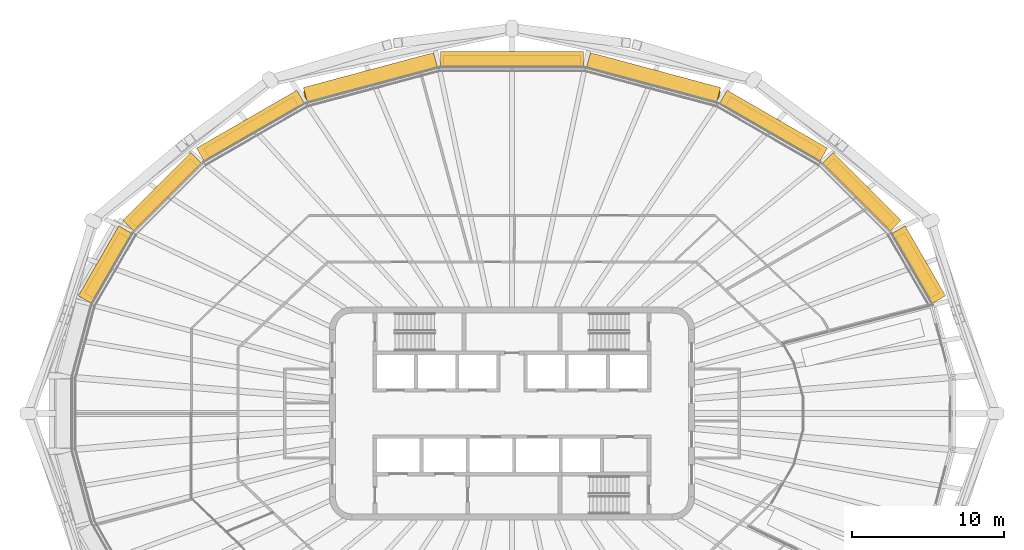
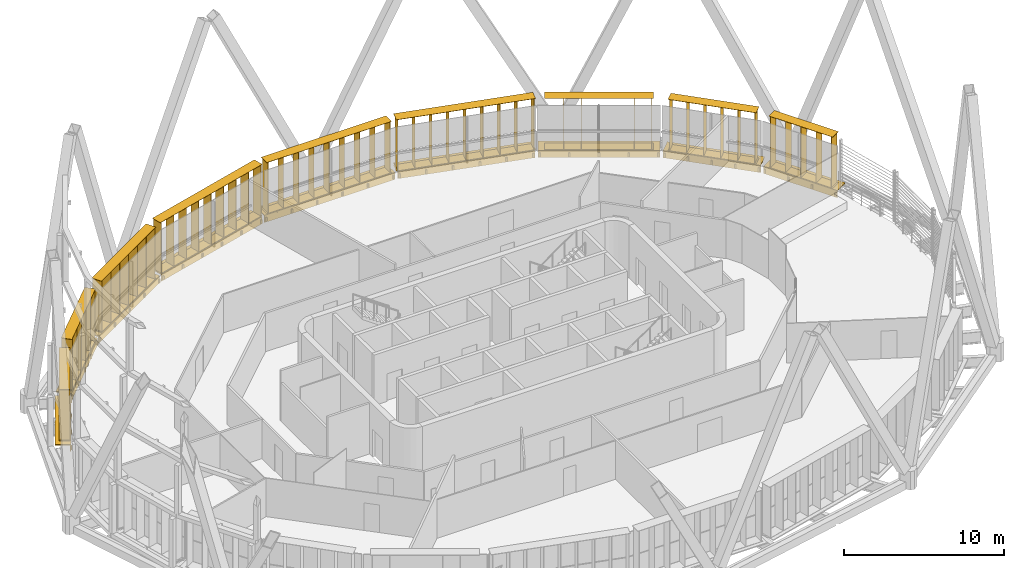
# One storey, part 22 of 22: 18 shading devices.
"""IFC4 building model written with IfcOpenShell, lengths in metres."""

from ifc_helpers import new_model, si_unit, direction, frame, origin, origin_2d, place, context, subcontext, project, spatial, rectangle, extrude, material, type_object, element, save


model = new_model("IFC4")

# Units and contexts
model_context = context("Model", 3, precision=1e-05, world=origin(), true_north=direction((0.0, 1.0)))
body_context = subcontext(model_context, "Body", "Model", "MODEL_VIEW")
ifc_project = project(units=[si_unit("LENGTHUNIT", "METRE"), si_unit("AREAUNIT", "SQUARE_METRE"), si_unit("VOLUMEUNIT", "CUBIC_METRE"), si_unit("PLANEANGLEUNIT", "RADIAN"), si_unit("MASSUNIT", "GRAM", prefix="KILO")], contexts=[model_context])

# Site, building, storey
site_placement = place(None, origin())
site = spatial("IfcSite", under=ifc_project, at=site_placement, CompositionType="ELEMENT")
building_placement = place(site_placement, origin())
building = spatial("IfcBuilding", under=site, at=building_placement, Name="Sahrelin Media Tower", CompositionType="ELEMENT")
storey_placement = place(building_placement, frame((0.0, 0.0, 283.0)))
storey = spatial("IfcBuildingStorey", under=building, at=storey_placement, Name="L62", CompositionType="ELEMENT", Elevation=283.0)

# Shading devices
ifc_material = material(Name="Champagne anodised aluminium 6063-T6", Category="aluminium")
shading_device_type_1 = type_object("IfcShadingDeviceType", Name="Fin cassette", PredefinedType="USERDEFINED", material=ifc_material)
placement_1 = place(storey_placement, frame((26.26708984375, 9.512451171875, 0.0), z_axis=(0.0, 0.0, 1.0), x_axis=(0.500011000363, -0.866019052629, 0.0)))
element("IfcShadingDevice", 1, at=placement_1, inside=storey, type_object=shading_device_type_1, Name="L62:FIN:L62-02", ObjectType="FIN", PredefinedType="USERDEFINED", context=body_context, shape_type="SweptSolid", body=[
    extrude(rectangle(XDim=4.60009765625, YDim=0.699951171875, at=origin_2d()), frame((0.0, 0.419921875, 0.0)), (0.0, 0.0, 1.0), 0.02001953125),
    extrude(rectangle(XDim=4.60009765625, YDim=0.699951171875, at=origin_2d()), frame((0.0, 0.419921875, 3.89990234375)), (0.0, 0.0, 1.0), 0.02001953125),
    extrude(rectangle(XDim=0.02001953125, YDim=0.699951171875, at=origin_2d()), frame((-2.199951171875, 0.419921875, 0.010009765625), z_axis=(0.0, 0.0, 1.0), x_axis=(1.0, 0.0, 0.0)), (0.0, 0.0, 1.0), 3.89990234375),
    extrude(rectangle(XDim=0.02001953125, YDim=0.699951171875, at=origin_2d()), frame((-1.10009765625, 0.419921875, 0.010009765625), z_axis=(0.0, 0.0, 1.0), x_axis=(1.0, 0.0, 0.0)), (0.0, 0.0, 1.0), 3.89990234375),
    extrude(rectangle(XDim=0.02001953125, YDim=0.699951171875, at=origin_2d()), frame((0.0, 0.419921875, 0.010009765625), z_axis=(0.0, 0.0, 1.0), x_axis=(1.0, 0.0, 0.0)), (0.0, 0.0, 1.0), 3.89990234375),
    extrude(rectangle(XDim=0.02001953125, YDim=0.699951171875, at=origin_2d()), frame((1.10009765625, 0.419921875, 0.010009765625), z_axis=(0.0, 0.0, 1.0), x_axis=(1.0, 0.0, 0.0)), (0.0, 0.0, 1.0), 3.89990234375),
    extrude(rectangle(XDim=0.02001953125, YDim=0.699951171875, at=origin_2d()), frame((2.199951171875, 0.419921875, 0.010009765625), z_axis=(0.0, 0.0, 1.0), x_axis=(1.0, 0.0, 0.0)), (0.0, 0.0, 1.0), 3.89990234375),
])
placement_2 = place(storey_placement, frame((22.593017578125, 14.1943359375, 0.0), z_axis=(0.0, 0.0, 1.0), x_axis=(0.707106781187, -0.707106781187, 0.0)))
element("IfcShadingDevice", 2, at=placement_2, inside=storey, type_object=shading_device_type_1, Name="L62:FIN:L62-03", ObjectType="FIN", PredefinedType="USERDEFINED", context=body_context, shape_type="SweptSolid", body=[
    extrude(rectangle(XDim=5.699951171875, YDim=0.699951171875, at=origin_2d()), frame((0.0, 0.419921875, 0.0)), (0.0, 0.0, 1.0), 0.02001953125),
    extrude(rectangle(XDim=5.699951171875, YDim=0.699951171875, at=origin_2d()), frame((0.0, 0.419921875, 3.89990234375)), (0.0, 0.0, 1.0), 0.02001953125),
    extrude(rectangle(XDim=0.02001953125, YDim=0.699951171875, at=origin_2d()), frame((-2.75, 0.419921875, 0.010009765625), z_axis=(0.0, 0.0, 1.0), x_axis=(1.0, 0.0, 0.0)), (0.0, 0.0, 1.0), 3.89990234375),
    extrude(rectangle(XDim=0.02001953125, YDim=0.699951171875, at=origin_2d()), frame((-1.64990234375, 0.419921875, 0.010009765625), z_axis=(0.0, 0.0, 1.0), x_axis=(1.0, 0.0, 0.0)), (0.0, 0.0, 1.0), 3.89990234375),
    extrude(rectangle(XDim=0.02001953125, YDim=0.699951171875, at=origin_2d()), frame((-0.550048828125, 0.419921875, 0.010009765625), z_axis=(0.0, 0.0, 1.0), x_axis=(1.0, 0.0, 0.0)), (0.0, 0.0, 1.0), 3.89990234375),
    extrude(rectangle(XDim=0.02001953125, YDim=0.699951171875, at=origin_2d()), frame((0.550048828125, 0.419921875, 0.010009765625), z_axis=(0.0, 0.0, 1.0), x_axis=(1.0, 0.0, 0.0)), (0.0, 0.0, 1.0), 3.89990234375),
    extrude(rectangle(XDim=0.02001953125, YDim=0.699951171875, at=origin_2d()), frame((1.64990234375, 0.419921875, 0.010009765625), z_axis=(0.0, 0.0, 1.0), x_axis=(1.0, 0.0, 0.0)), (0.0, 0.0, 1.0), 3.89990234375),
    extrude(rectangle(XDim=0.02001953125, YDim=0.699951171875, at=origin_2d()), frame((2.75, 0.419921875, 0.010009765625), z_axis=(0.0, 0.0, 1.0), x_axis=(1.0, 0.0, 0.0)), (0.0, 0.0, 1.0), 3.89990234375),
])
placement_3 = place(storey_placement, frame((16.9150390625, 18.443603515625, 0.0), z_axis=(0.0, 0.0, 1.0), x_axis=(0.866019052629, -0.500011000363, 0.0)))
element("IfcShadingDevice", 3, at=placement_3, inside=storey, type_object=shading_device_type_1, Name="L62:FIN:L62-04", ObjectType="FIN", PredefinedType="USERDEFINED", context=body_context, shape_type="SweptSolid", body=[
    extrude(rectangle(XDim=6.800048828125, YDim=0.699951171875, at=origin_2d()), frame((0.0, 0.419921875, 0.0)), (0.0, 0.0, 1.0), 0.02001953125),
    extrude(rectangle(XDim=6.800048828125, YDim=0.699951171875, at=origin_2d()), frame((0.0, 0.419921875, 3.89990234375)), (0.0, 0.0, 1.0), 0.02001953125),
    extrude(rectangle(XDim=0.02001953125, YDim=0.699951171875, at=origin_2d()), frame((-3.300048828125, 0.419921875, 0.010009765625), z_axis=(0.0, 0.0, 1.0), x_axis=(1.0, 0.0, 0.0)), (0.0, 0.0, 1.0), 3.89990234375),
    extrude(rectangle(XDim=0.02001953125, YDim=0.699951171875, at=origin_2d()), frame((-2.199951171875, 0.419921875, 0.010009765625), z_axis=(0.0, 0.0, 1.0), x_axis=(1.0, 0.0, 0.0)), (0.0, 0.0, 1.0), 3.89990234375),
    extrude(rectangle(XDim=0.02001953125, YDim=0.699951171875, at=origin_2d()), frame((-1.10009765625, 0.419921875, 0.010009765625), z_axis=(0.0, 0.0, 1.0), x_axis=(1.0, 0.0, 0.0)), (0.0, 0.0, 1.0), 3.89990234375),
    extrude(rectangle(XDim=0.02001953125, YDim=0.699951171875, at=origin_2d()), frame((0.0, 0.419921875, 0.010009765625), z_axis=(0.0, 0.0, 1.0), x_axis=(1.0, 0.0, 0.0)), (0.0, 0.0, 1.0), 3.89990234375),
    extrude(rectangle(XDim=0.02001953125, YDim=0.699951171875, at=origin_2d()), frame((1.10009765625, 0.419921875, 0.010009765625), z_axis=(0.0, 0.0, 1.0), x_axis=(1.0, 0.0, 0.0)), (0.0, 0.0, 1.0), 3.89990234375),
    extrude(rectangle(XDim=0.02001953125, YDim=0.699951171875, at=origin_2d()), frame((2.199951171875, 0.419921875, 0.010009765625), z_axis=(0.0, 0.0, 1.0), x_axis=(1.0, 0.0, 0.0)), (0.0, 0.0, 1.0), 3.89990234375),
    extrude(rectangle(XDim=0.02001953125, YDim=0.699951171875, at=origin_2d()), frame((3.300048828125, 0.419921875, 0.010009765625), z_axis=(0.0, 0.0, 1.0), x_axis=(1.0, 0.0, 0.0)), (0.0, 0.0, 1.0), 3.89990234375),
])
placement_4 = place(storey_placement, frame((9.163330078125, 21.56640625, 0.0), z_axis=(0.0, 0.0, 1.0), x_axis=(0.965928857556, -0.258807731996, 0.0)))
element("IfcShadingDevice", 4, at=placement_4, inside=storey, type_object=shading_device_type_1, Name="L62:FIN:L62-05", ObjectType="FIN", PredefinedType="USERDEFINED", context=body_context, shape_type="SweptSolid", body=[
    extrude(rectangle(XDim=9.0, YDim=0.699951171875, at=origin_2d()), frame((0.0, 0.419921875, 0.0)), (0.0, 0.0, 1.0), 0.02001953125),
    extrude(rectangle(XDim=9.0, YDim=0.699951171875, at=origin_2d()), frame((0.0, 0.419921875, 3.89990234375)), (0.0, 0.0, 1.0), 0.02001953125),
    extrude(rectangle(XDim=0.02001953125, YDim=0.699951171875, at=origin_2d()), frame((-4.39990234375, 0.419921875, 0.010009765625), z_axis=(0.0, 0.0, 1.0), x_axis=(1.0, 0.0, 0.0)), (0.0, 0.0, 1.0), 3.89990234375),
    extrude(rectangle(XDim=0.02001953125, YDim=0.699951171875, at=origin_2d()), frame((-3.300048828125, 0.419921875, 0.010009765625), z_axis=(0.0, 0.0, 1.0), x_axis=(1.0, 0.0, 0.0)), (0.0, 0.0, 1.0), 3.89990234375),
    extrude(rectangle(XDim=0.02001953125, YDim=0.699951171875, at=origin_2d()), frame((-2.199951171875, 0.419921875, 0.010009765625), z_axis=(0.0, 0.0, 1.0), x_axis=(1.0, 0.0, 0.0)), (0.0, 0.0, 1.0), 3.89990234375),
    extrude(rectangle(XDim=0.02001953125, YDim=0.699951171875, at=origin_2d()), frame((-1.10009765625, 0.419921875, 0.010009765625), z_axis=(0.0, 0.0, 1.0), x_axis=(1.0, 0.0, 0.0)), (0.0, 0.0, 1.0), 3.89990234375),
    extrude(rectangle(XDim=0.02001953125, YDim=0.699951171875, at=origin_2d()), frame((0.0, 0.419921875, 0.010009765625), z_axis=(0.0, 0.0, 1.0), x_axis=(1.0, 0.0, 0.0)), (0.0, 0.0, 1.0), 3.89990234375),
    extrude(rectangle(XDim=0.02001953125, YDim=0.699951171875, at=origin_2d()), frame((1.10009765625, 0.419921875, 0.010009765625), z_axis=(0.0, 0.0, 1.0), x_axis=(1.0, 0.0, 0.0)), (0.0, 0.0, 1.0), 3.89990234375),
    extrude(rectangle(XDim=0.02001953125, YDim=0.699951171875, at=origin_2d()), frame((2.199951171875, 0.419921875, 0.010009765625), z_axis=(0.0, 0.0, 1.0), x_axis=(1.0, 0.0, 0.0)), (0.0, 0.0, 1.0), 3.89990234375),
    extrude(rectangle(XDim=0.02001953125, YDim=0.699951171875, at=origin_2d()), frame((3.300048828125, 0.419921875, 0.010009765625), z_axis=(0.0, 0.0, 1.0), x_axis=(1.0, 0.0, 0.0)), (0.0, 0.0, 1.0), 3.89990234375),
    extrude(rectangle(XDim=0.02001953125, YDim=0.699951171875, at=origin_2d()), frame((4.39990234375, 0.419921875, 0.010009765625), z_axis=(0.0, 0.0, 1.0), x_axis=(1.0, 0.0, 0.0)), (0.0, 0.0, 1.0), 3.89990234375),
])
placement_5 = place(storey_placement, frame((0.0, 22.73779296875, 0.0), z_axis=(0.0, 0.0, 1.0), x_axis=(1.0, 0.0, 0.0)))
element("IfcShadingDevice", 5, at=placement_5, inside=storey, type_object=shading_device_type_1, Name="L62:FIN:L62-06", ObjectType="FIN", PredefinedType="USERDEFINED", context=body_context, shape_type="SweptSolid", body=[
    extrude(rectangle(XDim=9.0, YDim=0.699951171875, at=origin_2d()), frame((0.0, 0.419921875, 0.0)), (0.0, 0.0, 1.0), 0.02001953125),
    extrude(rectangle(XDim=9.0, YDim=0.699951171875, at=origin_2d()), frame((0.0, 0.419921875, 3.89990234375)), (0.0, 0.0, 1.0), 0.02001953125),
    extrude(rectangle(XDim=0.02001953125, YDim=0.699951171875, at=origin_2d()), frame((-4.39990234375, 0.419921875, 0.010009765625), z_axis=(0.0, 0.0, 1.0), x_axis=(1.0, 0.0, 0.0)), (0.0, 0.0, 1.0), 3.89990234375),
    extrude(rectangle(XDim=0.02001953125, YDim=0.699951171875, at=origin_2d()), frame((-3.300048828125, 0.419921875, 0.010009765625), z_axis=(0.0, 0.0, 1.0), x_axis=(1.0, 0.0, 0.0)), (0.0, 0.0, 1.0), 3.89990234375),
    extrude(rectangle(XDim=0.02001953125, YDim=0.699951171875, at=origin_2d()), frame((-2.199951171875, 0.419921875, 0.010009765625), z_axis=(0.0, 0.0, 1.0), x_axis=(1.0, 0.0, 0.0)), (0.0, 0.0, 1.0), 3.89990234375),
    extrude(rectangle(XDim=0.02001953125, YDim=0.699951171875, at=origin_2d()), frame((-1.10009765625, 0.419921875, 0.010009765625), z_axis=(0.0, 0.0, 1.0), x_axis=(1.0, 0.0, 0.0)), (0.0, 0.0, 1.0), 3.89990234375),
    extrude(rectangle(XDim=0.02001953125, YDim=0.699951171875, at=origin_2d()), frame((0.0, 0.419921875, 0.010009765625), z_axis=(0.0, 0.0, 1.0), x_axis=(1.0, 0.0, 0.0)), (0.0, 0.0, 1.0), 3.89990234375),
    extrude(rectangle(XDim=0.02001953125, YDim=0.699951171875, at=origin_2d()), frame((1.10009765625, 0.419921875, 0.010009765625), z_axis=(0.0, 0.0, 1.0), x_axis=(1.0, 0.0, 0.0)), (0.0, 0.0, 1.0), 3.89990234375),
    extrude(rectangle(XDim=0.02001953125, YDim=0.699951171875, at=origin_2d()), frame((2.199951171875, 0.419921875, 0.010009765625), z_axis=(0.0, 0.0, 1.0), x_axis=(1.0, 0.0, 0.0)), (0.0, 0.0, 1.0), 3.89990234375),
    extrude(rectangle(XDim=0.02001953125, YDim=0.699951171875, at=origin_2d()), frame((3.300048828125, 0.419921875, 0.010009765625), z_axis=(0.0, 0.0, 1.0), x_axis=(1.0, 0.0, 0.0)), (0.0, 0.0, 1.0), 3.89990234375),
    extrude(rectangle(XDim=0.02001953125, YDim=0.699951171875, at=origin_2d()), frame((4.39990234375, 0.419921875, 0.010009765625), z_axis=(0.0, 0.0, 1.0), x_axis=(1.0, 0.0, 0.0)), (0.0, 0.0, 1.0), 3.89990234375),
])
placement_6 = place(storey_placement, frame((-9.163330078125, 21.56640625, 0.0), z_axis=(0.0, 0.0, 1.0), x_axis=(0.965928857556, 0.258807731996, 0.0)))
element("IfcShadingDevice", 6, at=placement_6, inside=storey, type_object=shading_device_type_1, Name="L62:FIN:L62-07", ObjectType="FIN", PredefinedType="USERDEFINED", context=body_context, shape_type="SweptSolid", body=[
    extrude(rectangle(XDim=9.0, YDim=0.699951171875, at=origin_2d()), frame((0.0, 0.419921875, 0.0)), (0.0, 0.0, 1.0), 0.02001953125),
    extrude(rectangle(XDim=9.0, YDim=0.699951171875, at=origin_2d()), frame((0.0, 0.419921875, 3.89990234375)), (0.0, 0.0, 1.0), 0.02001953125),
    extrude(rectangle(XDim=0.02001953125, YDim=0.699951171875, at=origin_2d()), frame((-4.39990234375, 0.419921875, 0.010009765625), z_axis=(0.0, 0.0, 1.0), x_axis=(1.0, 0.0, 0.0)), (0.0, 0.0, 1.0), 3.89990234375),
    extrude(rectangle(XDim=0.02001953125, YDim=0.699951171875, at=origin_2d()), frame((-3.300048828125, 0.419921875, 0.010009765625), z_axis=(0.0, 0.0, 1.0), x_axis=(1.0, 0.0, 0.0)), (0.0, 0.0, 1.0), 3.89990234375),
    extrude(rectangle(XDim=0.02001953125, YDim=0.699951171875, at=origin_2d()), frame((-2.199951171875, 0.419921875, 0.010009765625), z_axis=(0.0, 0.0, 1.0), x_axis=(1.0, 0.0, 0.0)), (0.0, 0.0, 1.0), 3.89990234375),
    extrude(rectangle(XDim=0.02001953125, YDim=0.699951171875, at=origin_2d()), frame((-1.10009765625, 0.419921875, 0.010009765625), z_axis=(0.0, 0.0, 1.0), x_axis=(1.0, 0.0, 0.0)), (0.0, 0.0, 1.0), 3.89990234375),
    extrude(rectangle(XDim=0.02001953125, YDim=0.699951171875, at=origin_2d()), frame((0.0, 0.419921875, 0.010009765625), z_axis=(0.0, 0.0, 1.0), x_axis=(1.0, 0.0, 0.0)), (0.0, 0.0, 1.0), 3.89990234375),
    extrude(rectangle(XDim=0.02001953125, YDim=0.699951171875, at=origin_2d()), frame((1.10009765625, 0.419921875, 0.010009765625), z_axis=(0.0, 0.0, 1.0), x_axis=(1.0, 0.0, 0.0)), (0.0, 0.0, 1.0), 3.89990234375),
    extrude(rectangle(XDim=0.02001953125, YDim=0.699951171875, at=origin_2d()), frame((2.199951171875, 0.419921875, 0.010009765625), z_axis=(0.0, 0.0, 1.0), x_axis=(1.0, 0.0, 0.0)), (0.0, 0.0, 1.0), 3.89990234375),
    extrude(rectangle(XDim=0.02001953125, YDim=0.699951171875, at=origin_2d()), frame((3.300048828125, 0.419921875, 0.010009765625), z_axis=(0.0, 0.0, 1.0), x_axis=(1.0, 0.0, 0.0)), (0.0, 0.0, 1.0), 3.89990234375),
    extrude(rectangle(XDim=0.02001953125, YDim=0.699951171875, at=origin_2d()), frame((4.39990234375, 0.419921875, 0.010009765625), z_axis=(0.0, 0.0, 1.0), x_axis=(1.0, 0.0, 0.0)), (0.0, 0.0, 1.0), 3.89990234375),
])
placement_7 = place(storey_placement, frame((-16.9150390625, 18.443603515625, 0.0), z_axis=(0.0, 0.0, 1.0), x_axis=(0.866019052629, 0.500011000363, 0.0)))
element("IfcShadingDevice", 7, at=placement_7, inside=storey, type_object=shading_device_type_1, Name="L62:FIN:L62-08", ObjectType="FIN", PredefinedType="USERDEFINED", context=body_context, shape_type="SweptSolid", body=[
    extrude(rectangle(XDim=6.800048828125, YDim=0.699951171875, at=origin_2d()), frame((0.0, 0.419921875, 0.0)), (0.0, 0.0, 1.0), 0.02001953125),
    extrude(rectangle(XDim=6.800048828125, YDim=0.699951171875, at=origin_2d()), frame((0.0, 0.419921875, 3.89990234375)), (0.0, 0.0, 1.0), 0.02001953125),
    extrude(rectangle(XDim=0.02001953125, YDim=0.699951171875, at=origin_2d()), frame((-3.300048828125, 0.419921875, 0.010009765625), z_axis=(0.0, 0.0, 1.0), x_axis=(1.0, 0.0, 0.0)), (0.0, 0.0, 1.0), 3.89990234375),
    extrude(rectangle(XDim=0.02001953125, YDim=0.699951171875, at=origin_2d()), frame((-2.199951171875, 0.419921875, 0.010009765625), z_axis=(0.0, 0.0, 1.0), x_axis=(1.0, 0.0, 0.0)), (0.0, 0.0, 1.0), 3.89990234375),
    extrude(rectangle(XDim=0.02001953125, YDim=0.699951171875, at=origin_2d()), frame((-1.10009765625, 0.419921875, 0.010009765625), z_axis=(0.0, 0.0, 1.0), x_axis=(1.0, 0.0, 0.0)), (0.0, 0.0, 1.0), 3.89990234375),
    extrude(rectangle(XDim=0.02001953125, YDim=0.699951171875, at=origin_2d()), frame((0.0, 0.419921875, 0.010009765625), z_axis=(0.0, 0.0, 1.0), x_axis=(1.0, 0.0, 0.0)), (0.0, 0.0, 1.0), 3.89990234375),
    extrude(rectangle(XDim=0.02001953125, YDim=0.699951171875, at=origin_2d()), frame((1.10009765625, 0.419921875, 0.010009765625), z_axis=(0.0, 0.0, 1.0), x_axis=(1.0, 0.0, 0.0)), (0.0, 0.0, 1.0), 3.89990234375),
    extrude(rectangle(XDim=0.02001953125, YDim=0.699951171875, at=origin_2d()), frame((2.199951171875, 0.419921875, 0.010009765625), z_axis=(0.0, 0.0, 1.0), x_axis=(1.0, 0.0, 0.0)), (0.0, 0.0, 1.0), 3.89990234375),
    extrude(rectangle(XDim=0.02001953125, YDim=0.699951171875, at=origin_2d()), frame((3.300048828125, 0.419921875, 0.010009765625), z_axis=(0.0, 0.0, 1.0), x_axis=(1.0, 0.0, 0.0)), (0.0, 0.0, 1.0), 3.89990234375),
])
placement_8 = place(storey_placement, frame((-22.593017578125, 14.1943359375, 0.0), z_axis=(0.0, 0.0, 1.0), x_axis=(0.707106781187, 0.707106781187, 0.0)))
element("IfcShadingDevice", 8, at=placement_8, inside=storey, type_object=shading_device_type_1, Name="L62:FIN:L62-09", ObjectType="FIN", PredefinedType="USERDEFINED", context=body_context, shape_type="SweptSolid", body=[
    extrude(rectangle(XDim=5.699951171875, YDim=0.699951171875, at=origin_2d()), frame((0.0, 0.419921875, 0.0)), (0.0, 0.0, 1.0), 0.02001953125),
    extrude(rectangle(XDim=5.699951171875, YDim=0.699951171875, at=origin_2d()), frame((0.0, 0.419921875, 3.89990234375)), (0.0, 0.0, 1.0), 0.02001953125),
    extrude(rectangle(XDim=0.02001953125, YDim=0.699951171875, at=origin_2d()), frame((-2.75, 0.419921875, 0.010009765625), z_axis=(0.0, 0.0, 1.0), x_axis=(1.0, 0.0, 0.0)), (0.0, 0.0, 1.0), 3.89990234375),
    extrude(rectangle(XDim=0.02001953125, YDim=0.699951171875, at=origin_2d()), frame((-1.64990234375, 0.419921875, 0.010009765625), z_axis=(0.0, 0.0, 1.0), x_axis=(1.0, 0.0, 0.0)), (0.0, 0.0, 1.0), 3.89990234375),
    extrude(rectangle(XDim=0.02001953125, YDim=0.699951171875, at=origin_2d()), frame((-0.550048828125, 0.419921875, 0.010009765625), z_axis=(0.0, 0.0, 1.0), x_axis=(1.0, 0.0, 0.0)), (0.0, 0.0, 1.0), 3.89990234375),
    extrude(rectangle(XDim=0.02001953125, YDim=0.699951171875, at=origin_2d()), frame((0.550048828125, 0.419921875, 0.010009765625), z_axis=(0.0, 0.0, 1.0), x_axis=(1.0, 0.0, 0.0)), (0.0, 0.0, 1.0), 3.89990234375),
    extrude(rectangle(XDim=0.02001953125, YDim=0.699951171875, at=origin_2d()), frame((1.64990234375, 0.419921875, 0.010009765625), z_axis=(0.0, 0.0, 1.0), x_axis=(1.0, 0.0, 0.0)), (0.0, 0.0, 1.0), 3.89990234375),
    extrude(rectangle(XDim=0.02001953125, YDim=0.699951171875, at=origin_2d()), frame((2.75, 0.419921875, 0.010009765625), z_axis=(0.0, 0.0, 1.0), x_axis=(1.0, 0.0, 0.0)), (0.0, 0.0, 1.0), 3.89990234375),
])
placement_9 = place(storey_placement, frame((-26.26708984375, 9.512451171875, 0.0), z_axis=(0.0, 0.0, 1.0), x_axis=(0.500011000363, 0.866019052629, 0.0)))
element("IfcShadingDevice", 9, at=placement_9, inside=storey, type_object=shading_device_type_1, Name="L62:FIN:L62-10", ObjectType="FIN", PredefinedType="USERDEFINED", context=body_context, shape_type="SweptSolid", body=[
    extrude(rectangle(XDim=4.60009765625, YDim=0.699951171875, at=origin_2d()), frame((0.0, 0.419921875, 0.0)), (0.0, 0.0, 1.0), 0.02001953125),
    extrude(rectangle(XDim=4.60009765625, YDim=0.699951171875, at=origin_2d()), frame((0.0, 0.419921875, 3.89990234375)), (0.0, 0.0, 1.0), 0.02001953125),
    extrude(rectangle(XDim=0.02001953125, YDim=0.699951171875, at=origin_2d()), frame((-2.199951171875, 0.419921875, 0.010009765625), z_axis=(0.0, 0.0, 1.0), x_axis=(1.0, 0.0, 0.0)), (0.0, 0.0, 1.0), 3.89990234375),
    extrude(rectangle(XDim=0.02001953125, YDim=0.699951171875, at=origin_2d()), frame((-1.10009765625, 0.419921875, 0.010009765625), z_axis=(0.0, 0.0, 1.0), x_axis=(1.0, 0.0, 0.0)), (0.0, 0.0, 1.0), 3.89990234375),
    extrude(rectangle(XDim=0.02001953125, YDim=0.699951171875, at=origin_2d()), frame((0.0, 0.419921875, 0.010009765625), z_axis=(0.0, 0.0, 1.0), x_axis=(1.0, 0.0, 0.0)), (0.0, 0.0, 1.0), 3.89990234375),
    extrude(rectangle(XDim=0.02001953125, YDim=0.699951171875, at=origin_2d()), frame((1.10009765625, 0.419921875, 0.010009765625), z_axis=(0.0, 0.0, 1.0), x_axis=(1.0, 0.0, 0.0)), (0.0, 0.0, 1.0), 3.89990234375),
    extrude(rectangle(XDim=0.02001953125, YDim=0.699951171875, at=origin_2d()), frame((2.199951171875, 0.419921875, 0.010009765625), z_axis=(0.0, 0.0, 1.0), x_axis=(1.0, 0.0, 0.0)), (0.0, 0.0, 1.0), 3.89990234375),
])
shading_device_type_2 = type_object("IfcShadingDeviceType", Name="Sunshade band", PredefinedType="USERDEFINED", material=ifc_material)
element("IfcShadingDevice", 10, at=placement_1, inside=storey, type_object=shading_device_type_2, Name="L62:SUN:L62-02", ObjectType="SUNSHADE", PredefinedType="USERDEFINED", context=body_context, shape_type="SweptSolid", body=[
    extrude(rectangle(XDim=5.306884765625, YDim=0.050048828125, at=origin_2d()), frame((0.0, 0.044921875, -0.55126953125)), (0.0, 0.0, 1.0), 0.471435546875),
    extrude(rectangle(XDim=5.306884765625, YDim=1.0, at=origin_2d()), frame((0.0, 0.52001953125, -0.080078125)), (0.0, 0.0, 1.0), 0.080078125),
    extrude(rectangle(XDim=0.10009765625, YDim=0.074951171875, at=origin_2d()), frame((-2.553466796875, -0.017578125, -0.47021484375)), (0.0, 0.0, 1.0), 0.300048828125),
    extrude(rectangle(XDim=0.10009765625, YDim=0.074951171875, at=origin_2d()), frame((-0.851318359375, -0.017578125, -0.47021484375)), (0.0, 0.0, 1.0), 0.300048828125),
    extrude(rectangle(XDim=0.10009765625, YDim=0.074951171875, at=origin_2d()), frame((0.851318359375, -0.017578125, -0.47021484375)), (0.0, 0.0, 1.0), 0.300048828125),
    extrude(rectangle(XDim=0.10009765625, YDim=0.074951171875, at=origin_2d()), frame((2.553466796875, -0.017578125, -0.47021484375)), (0.0, 0.0, 1.0), 0.300048828125),
])
element("IfcShadingDevice", 11, at=placement_2, inside=storey, type_object=shading_device_type_2, Name="L62:SUN:L62-03", ObjectType="SUNSHADE", PredefinedType="USERDEFINED", context=body_context, shape_type="SweptSolid", body=[
    extrude(rectangle(XDim=6.298095703125, YDim=0.050048828125, at=origin_2d()), frame((0.0, 0.044921875, -0.55126953125)), (0.0, 0.0, 1.0), 0.471435546875),
    extrude(rectangle(XDim=6.298095703125, YDim=1.0, at=origin_2d()), frame((0.0, 0.52001953125, -0.080078125)), (0.0, 0.0, 1.0), 0.080078125),
    extrude(rectangle(XDim=0.10009765625, YDim=0.074951171875, at=origin_2d()), frame((-3.049072265625, -0.017578125, -0.47021484375)), (0.0, 0.0, 1.0), 0.300048828125),
    extrude(rectangle(XDim=0.10009765625, YDim=0.074951171875, at=origin_2d()), frame((-1.5244140625, -0.017578125, -0.47021484375)), (0.0, 0.0, 1.0), 0.300048828125),
    extrude(rectangle(XDim=0.10009765625, YDim=0.074951171875, at=origin_2d()), frame((0.0, -0.017578125, -0.47021484375)), (0.0, 0.0, 1.0), 0.300048828125),
    extrude(rectangle(XDim=0.10009765625, YDim=0.074951171875, at=origin_2d()), frame((1.5244140625, -0.017578125, -0.47021484375)), (0.0, 0.0, 1.0), 0.300048828125),
    extrude(rectangle(XDim=0.10009765625, YDim=0.074951171875, at=origin_2d()), frame((3.049072265625, -0.017578125, -0.47021484375)), (0.0, 0.0, 1.0), 0.300048828125),
])
element("IfcShadingDevice", 12, at=placement_3, inside=storey, type_object=shading_device_type_2, Name="L62:SUN:L62-04", ObjectType="SUNSHADE", PredefinedType="USERDEFINED", context=body_context, shape_type="SweptSolid", body=[
    extrude(rectangle(XDim=7.60693359375, YDim=0.050048828125, at=origin_2d()), frame((0.0, 0.044921875, -0.55126953125)), (0.0, 0.0, 1.0), 0.471435546875),
    extrude(rectangle(XDim=7.60693359375, YDim=1.0, at=origin_2d()), frame((0.0, 0.52001953125, -0.080078125)), (0.0, 0.0, 1.0), 0.080078125),
    extrude(rectangle(XDim=0.10009765625, YDim=0.074951171875, at=origin_2d()), frame((-3.70361328125, -0.017578125, -0.47021484375)), (0.0, 0.0, 1.0), 0.300048828125),
    extrude(rectangle(XDim=0.10009765625, YDim=0.074951171875, at=origin_2d()), frame((-1.851806640625, -0.017578125, -0.47021484375)), (0.0, 0.0, 1.0), 0.300048828125),
    extrude(rectangle(XDim=0.10009765625, YDim=0.074951171875, at=origin_2d()), frame((0.0, -0.017578125, -0.47021484375)), (0.0, 0.0, 1.0), 0.300048828125),
    extrude(rectangle(XDim=0.10009765625, YDim=0.074951171875, at=origin_2d()), frame((1.851806640625, -0.017578125, -0.47021484375)), (0.0, 0.0, 1.0), 0.300048828125),
    extrude(rectangle(XDim=0.10009765625, YDim=0.074951171875, at=origin_2d()), frame((3.70361328125, -0.017578125, -0.47021484375)), (0.0, 0.0, 1.0), 0.300048828125),
])
element("IfcShadingDevice", 13, at=placement_4, inside=storey, type_object=shading_device_type_2, Name="L62:SUN:L62-05", ObjectType="SUNSHADE", PredefinedType="USERDEFINED", context=body_context, shape_type="SweptSolid", body=[
    extrude(rectangle(XDim=8.8505859375, YDim=0.050048828125, at=origin_2d()), frame((0.0, 0.044921875, -0.55126953125)), (0.0, 0.0, 1.0), 0.471435546875),
    extrude(rectangle(XDim=8.8505859375, YDim=1.0, at=origin_2d()), frame((0.0, 0.52001953125, -0.080078125)), (0.0, 0.0, 1.0), 0.080078125),
    extrude(rectangle(XDim=0.10009765625, YDim=0.074951171875, at=origin_2d()), frame((-4.3251953125, -0.017578125, -0.47021484375)), (0.0, 0.0, 1.0), 0.300048828125),
    extrude(rectangle(XDim=0.10009765625, YDim=0.074951171875, at=origin_2d()), frame((-2.59521484375, -0.017578125, -0.47021484375)), (0.0, 0.0, 1.0), 0.300048828125),
    extrude(rectangle(XDim=0.10009765625, YDim=0.074951171875, at=origin_2d()), frame((-0.864990234375, -0.017578125, -0.47021484375)), (0.0, 0.0, 1.0), 0.300048828125),
    extrude(rectangle(XDim=0.10009765625, YDim=0.074951171875, at=origin_2d()), frame((0.864990234375, -0.017578125, -0.47021484375)), (0.0, 0.0, 1.0), 0.300048828125),
    extrude(rectangle(XDim=0.10009765625, YDim=0.074951171875, at=origin_2d()), frame((2.59521484375, -0.017578125, -0.47021484375)), (0.0, 0.0, 1.0), 0.300048828125),
    extrude(rectangle(XDim=0.10009765625, YDim=0.074951171875, at=origin_2d()), frame((4.3251953125, -0.017578125, -0.47021484375)), (0.0, 0.0, 1.0), 0.300048828125),
])
element("IfcShadingDevice", 14, at=placement_5, inside=storey, type_object=shading_device_type_2, Name="L62:SUN:L62-06", ObjectType="SUNSHADE", PredefinedType="USERDEFINED", context=body_context, shape_type="SweptSolid", body=[
    extrude(rectangle(XDim=9.384521484375, YDim=0.050048828125, at=origin_2d()), frame((0.0, 0.044921875, -0.55126953125)), (0.0, 0.0, 1.0), 0.471435546875),
    extrude(rectangle(XDim=9.384521484375, YDim=1.0, at=origin_2d()), frame((0.0, 0.52001953125, -0.080078125)), (0.0, 0.0, 1.0), 0.080078125),
    extrude(rectangle(XDim=0.10009765625, YDim=0.074951171875, at=origin_2d()), frame((-4.59228515625, -0.017578125, -0.47021484375)), (0.0, 0.0, 1.0), 0.300048828125),
    extrude(rectangle(XDim=0.10009765625, YDim=0.074951171875, at=origin_2d()), frame((-2.75537109375, -0.017578125, -0.47021484375)), (0.0, 0.0, 1.0), 0.300048828125),
    extrude(rectangle(XDim=0.10009765625, YDim=0.074951171875, at=origin_2d()), frame((-0.91845703125, -0.017578125, -0.47021484375)), (0.0, 0.0, 1.0), 0.300048828125),
    extrude(rectangle(XDim=0.10009765625, YDim=0.074951171875, at=origin_2d()), frame((0.91845703125, -0.017578125, -0.47021484375)), (0.0, 0.0, 1.0), 0.300048828125),
    extrude(rectangle(XDim=0.10009765625, YDim=0.074951171875, at=origin_2d()), frame((2.75537109375, -0.017578125, -0.47021484375)), (0.0, 0.0, 1.0), 0.300048828125),
    extrude(rectangle(XDim=0.10009765625, YDim=0.074951171875, at=origin_2d()), frame((4.59228515625, -0.017578125, -0.47021484375)), (0.0, 0.0, 1.0), 0.300048828125),
])
element("IfcShadingDevice", 15, at=placement_6, inside=storey, type_object=shading_device_type_2, Name="L62:SUN:L62-07", ObjectType="SUNSHADE", PredefinedType="USERDEFINED", context=body_context, shape_type="SweptSolid", body=[
    extrude(rectangle(XDim=8.8505859375, YDim=0.050048828125, at=origin_2d()), frame((0.0, 0.044921875, -0.55126953125)), (0.0, 0.0, 1.0), 0.471435546875),
    extrude(rectangle(XDim=8.8505859375, YDim=1.0, at=origin_2d()), frame((0.0, 0.52001953125, -0.080078125)), (0.0, 0.0, 1.0), 0.080078125),
    extrude(rectangle(XDim=0.10009765625, YDim=0.074951171875, at=origin_2d()), frame((-4.3251953125, -0.017578125, -0.47021484375)), (0.0, 0.0, 1.0), 0.300048828125),
    extrude(rectangle(XDim=0.10009765625, YDim=0.074951171875, at=origin_2d()), frame((-2.59521484375, -0.017578125, -0.47021484375)), (0.0, 0.0, 1.0), 0.300048828125),
    extrude(rectangle(XDim=0.10009765625, YDim=0.074951171875, at=origin_2d()), frame((-0.864990234375, -0.017578125, -0.47021484375)), (0.0, 0.0, 1.0), 0.300048828125),
    extrude(rectangle(XDim=0.10009765625, YDim=0.074951171875, at=origin_2d()), frame((0.864990234375, -0.017578125, -0.47021484375)), (0.0, 0.0, 1.0), 0.300048828125),
    extrude(rectangle(XDim=0.10009765625, YDim=0.074951171875, at=origin_2d()), frame((2.59521484375, -0.017578125, -0.47021484375)), (0.0, 0.0, 1.0), 0.300048828125),
    extrude(rectangle(XDim=0.10009765625, YDim=0.074951171875, at=origin_2d()), frame((4.3251953125, -0.017578125, -0.47021484375)), (0.0, 0.0, 1.0), 0.300048828125),
])
element("IfcShadingDevice", 16, at=placement_7, inside=storey, type_object=shading_device_type_2, Name="L62:SUN:L62-08", ObjectType="SUNSHADE", PredefinedType="USERDEFINED", context=body_context, shape_type="SweptSolid", body=[
    extrude(rectangle(XDim=7.60693359375, YDim=0.050048828125, at=origin_2d()), frame((0.0, 0.044921875, -0.55126953125)), (0.0, 0.0, 1.0), 0.471435546875),
    extrude(rectangle(XDim=7.60693359375, YDim=1.0, at=origin_2d()), frame((0.0, 0.52001953125, -0.080078125)), (0.0, 0.0, 1.0), 0.080078125),
    extrude(rectangle(XDim=0.10009765625, YDim=0.074951171875, at=origin_2d()), frame((-3.70361328125, -0.017578125, -0.47021484375)), (0.0, 0.0, 1.0), 0.300048828125),
    extrude(rectangle(XDim=0.10009765625, YDim=0.074951171875, at=origin_2d()), frame((-1.851806640625, -0.017578125, -0.47021484375)), (0.0, 0.0, 1.0), 0.300048828125),
    extrude(rectangle(XDim=0.10009765625, YDim=0.074951171875, at=origin_2d()), frame((0.0, -0.017578125, -0.47021484375)), (0.0, 0.0, 1.0), 0.300048828125),
    extrude(rectangle(XDim=0.10009765625, YDim=0.074951171875, at=origin_2d()), frame((1.851806640625, -0.017578125, -0.47021484375)), (0.0, 0.0, 1.0), 0.300048828125),
    extrude(rectangle(XDim=0.10009765625, YDim=0.074951171875, at=origin_2d()), frame((3.70361328125, -0.017578125, -0.47021484375)), (0.0, 0.0, 1.0), 0.300048828125),
])
element("IfcShadingDevice", 17, at=placement_8, inside=storey, type_object=shading_device_type_2, Name="L62:SUN:L62-09", ObjectType="SUNSHADE", PredefinedType="USERDEFINED", context=body_context, shape_type="SweptSolid", body=[
    extrude(rectangle(XDim=6.298095703125, YDim=0.050048828125, at=origin_2d()), frame((0.0, 0.044921875, -0.55126953125)), (0.0, 0.0, 1.0), 0.471435546875),
    extrude(rectangle(XDim=6.298095703125, YDim=1.0, at=origin_2d()), frame((0.0, 0.52001953125, -0.080078125)), (0.0, 0.0, 1.0), 0.080078125),
    extrude(rectangle(XDim=0.10009765625, YDim=0.074951171875, at=origin_2d()), frame((-3.049072265625, -0.017578125, -0.47021484375)), (0.0, 0.0, 1.0), 0.300048828125),
    extrude(rectangle(XDim=0.10009765625, YDim=0.074951171875, at=origin_2d()), frame((-1.5244140625, -0.017578125, -0.47021484375)), (0.0, 0.0, 1.0), 0.300048828125),
    extrude(rectangle(XDim=0.10009765625, YDim=0.074951171875, at=origin_2d()), frame((0.0, -0.017578125, -0.47021484375)), (0.0, 0.0, 1.0), 0.300048828125),
    extrude(rectangle(XDim=0.10009765625, YDim=0.074951171875, at=origin_2d()), frame((1.5244140625, -0.017578125, -0.47021484375)), (0.0, 0.0, 1.0), 0.300048828125),
    extrude(rectangle(XDim=0.10009765625, YDim=0.074951171875, at=origin_2d()), frame((3.049072265625, -0.017578125, -0.47021484375)), (0.0, 0.0, 1.0), 0.300048828125),
])
element("IfcShadingDevice", 18, at=placement_9, inside=storey, type_object=shading_device_type_2, Name="L62:SUN:L62-10", ObjectType="SUNSHADE", PredefinedType="USERDEFINED", context=body_context, shape_type="SweptSolid", body=[
    extrude(rectangle(XDim=5.306884765625, YDim=0.050048828125, at=origin_2d()), frame((0.0, 0.044921875, -0.55126953125)), (0.0, 0.0, 1.0), 0.471435546875),
    extrude(rectangle(XDim=5.306884765625, YDim=1.0, at=origin_2d()), frame((0.0, 0.52001953125, -0.080078125)), (0.0, 0.0, 1.0), 0.080078125),
    extrude(rectangle(XDim=0.10009765625, YDim=0.074951171875, at=origin_2d()), frame((-2.553466796875, -0.017578125, -0.47021484375)), (0.0, 0.0, 1.0), 0.300048828125),
    extrude(rectangle(XDim=0.10009765625, YDim=0.074951171875, at=origin_2d()), frame((-0.851318359375, -0.017578125, -0.47021484375)), (0.0, 0.0, 1.0), 0.300048828125),
    extrude(rectangle(XDim=0.10009765625, YDim=0.074951171875, at=origin_2d()), frame((0.851318359375, -0.017578125, -0.47021484375)), (0.0, 0.0, 1.0), 0.300048828125),
    extrude(rectangle(XDim=0.10009765625, YDim=0.074951171875, at=origin_2d()), frame((2.553466796875, -0.017578125, -0.47021484375)), (0.0, 0.0, 1.0), 0.300048828125),
])

save(model, "model.ifc")
